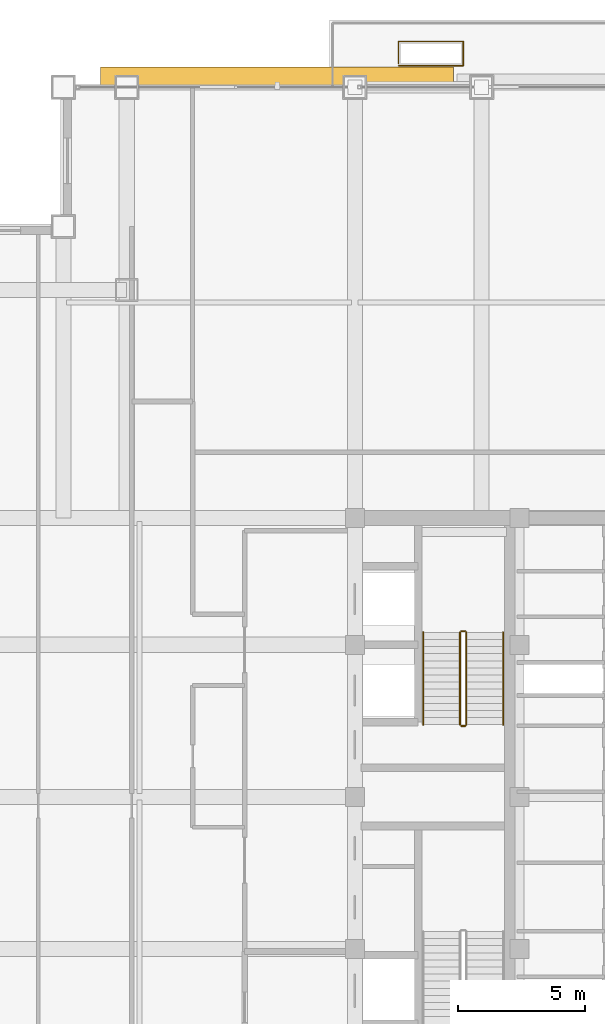
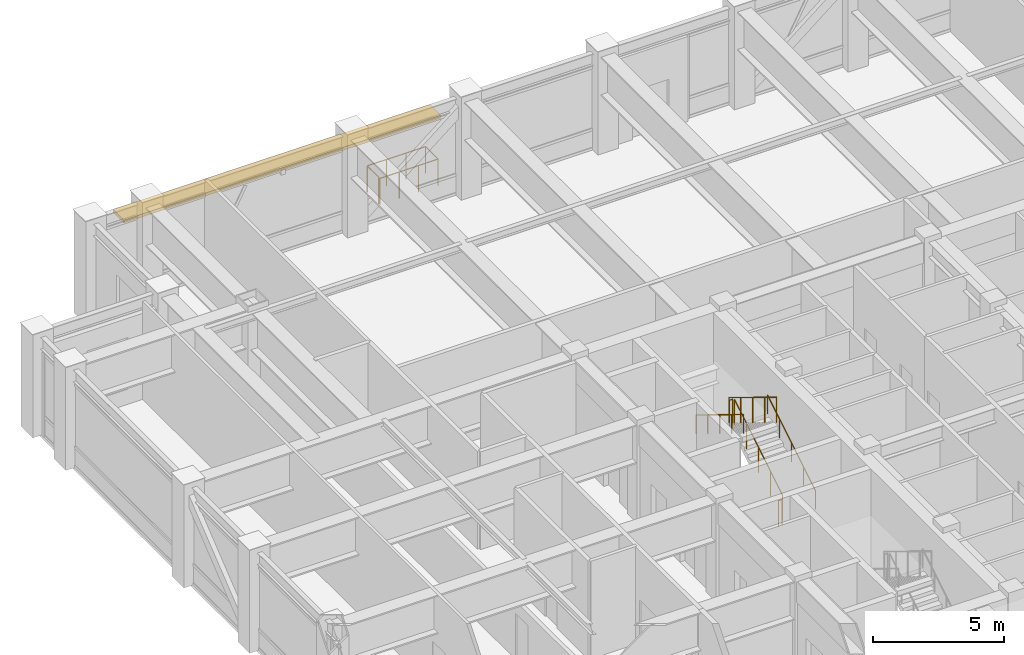
# One storey, part 30 of 31: 7 railings, 1 shading device.
"""IFC4 building model written with IfcOpenShell, lengths in metres."""

from ifc_helpers import new_model, si_unit, direction, frame, origin, origin_2d, place, context, subcontext, project, spatial, rectangle, circle, extrude, source, transform, mapped, material, layer, layer_set, type_object, element, save


model = new_model("IFC4")

# Units and contexts
model_context = context("Model", 3, precision=1e-05, world=origin(), true_north=direction((0.0, 1.0)))
body_context = subcontext(model_context, "Body", "Model", "MODEL_VIEW")
ifc_project = project(units=[si_unit("LENGTHUNIT", "METRE"), si_unit("AREAUNIT", "SQUARE_METRE"), si_unit("VOLUMEUNIT", "CUBIC_METRE"), si_unit("PLANEANGLEUNIT", "RADIAN"), si_unit("MASSUNIT", "GRAM", prefix="KILO")], contexts=[model_context])

# Site, building, storey
site_placement = place(None, origin())
site = spatial("IfcSite", under=ifc_project, at=site_placement, CompositionType="ELEMENT")
building_placement = place(site_placement, origin())
building = spatial("IfcBuilding", under=site, at=building_placement, Name="Khorayat Bourse Tower", CompositionType="ELEMENT")
storey_placement = place(building_placement, frame((0.0, 0.0, 321.5)))
storey = spatial("IfcBuildingStorey", under=building, at=storey_placement, Name="L76", CompositionType="ELEMENT", Elevation=321.5)

# Railing
ifc_material_1 = material(Name="Laminated glass and bronze balustrade", Category="glass")
railing_type_1 = type_object("IfcRailingType", Name="RLG-TERR-1250", PredefinedType="GUARDRAIL", material=ifc_material_1)
shared_shape_1 = source(origin(), body_context, "Body", "SweptSolid", [
    extrude(circle(Radius=0.02392578125, at=origin_2d()), frame((0.0, 0.0, 1.22607421875), z_axis=(1.0, 0.0, 0.0), x_axis=(0.0, 1.0, 0.0)), (0.0, 0.0, 1.0), 2.56005859375),
    extrude(circle(Radius=0.02392578125, at=origin_2d()), frame((2.56005859375, 0.0, 1.22607421875), z_axis=(0.0, 1.0, 0.0), x_axis=(-1.0, 0.0, 0.0)), (0.0, 0.0, 1.0), 0.9599609375),
    extrude(circle(Radius=0.02392578125, at=origin_2d()), frame((2.56005859375, 0.9599609375, 1.22607421875), z_axis=(-1.0, 0.0, 0.0), x_axis=(0.0, -1.0, 0.0)), (0.0, 0.0, 1.0), 2.56005859375),
    extrude(circle(Radius=0.02392578125, at=origin_2d()), frame((0.0, 0.9599609375, 1.22607421875), z_axis=(0.0, -1.0, 0.0), x_axis=(1.0, 0.0, 0.0)), (0.0, 0.0, 1.0), 0.8798828125),
    extrude(circle(Radius=0.02099609375, at=origin_2d()), origin(), (0.0, 0.0, 1.0), 1.201904296875),
    extrude(circle(Radius=0.02099609375, at=origin_2d()), frame((0.853271484375, 0.0, 0.0)), (0.0, 0.0, 1.0), 1.201904296875),
    extrude(circle(Radius=0.02099609375, at=origin_2d()), frame((1.706787109375, 0.0, 0.0)), (0.0, 0.0, 1.0), 1.201904296875),
    extrude(circle(Radius=0.02099609375, at=origin_2d()), frame((2.56005859375, 0.0, 0.0)), (0.0, 0.0, 1.0), 1.201904296875),
    extrude(circle(Radius=0.02099609375, at=origin_2d()), frame((2.56005859375, 0.9599609375, 0.0)), (0.0, 0.0, 1.0), 1.201904296875),
    extrude(circle(Radius=0.02099609375, at=origin_2d()), frame((1.706787109375, 0.9599609375, 0.0)), (0.0, 0.0, 1.0), 1.201904296875),
    extrude(circle(Radius=0.02099609375, at=origin_2d()), frame((0.853271484375, 0.9599609375, 0.0)), (0.0, 0.0, 1.0), 1.201904296875),
    extrude(circle(Radius=0.02099609375, at=origin_2d()), frame((0.0, 0.9599609375, 0.0)), (0.0, 0.0, 1.0), 1.201904296875),
    extrude(circle(Radius=0.02099609375, at=origin_2d()), frame((0.0, 0.080078125, 0.0)), (0.0, 0.0, 1.0), 1.201904296875),
])
railing_1_placement = place(storey_placement, frame((-9.280029296875, 28.844970703125, 0.0)))
element("IfcRailing", 1, at=railing_1_placement, inside=storey, type_object=railing_type_1, Name="L76 Terrace Tree-Pit Guardrail 01", PredefinedType="GUARDRAIL", context=body_context, shape_type="MappedRepresentation", body=[
    mapped(shared_shape_1, transform((0.0, 0.0, 0.0), scale=1.0)),
])

# Shading device
ifc_material_2 = material(Name="Precast concrete C45/55", Category="concrete")
ifc_layer = layer(ifc_material_2, 0.139892578125)
ifc_layer_set = layer_set([ifc_layer], Name="Precast concrete C45/55")
shading_device_type = type_object("IfcShadingDeviceType", Name="SHD-WAVE-TRAY-A", PredefinedType="USERDEFINED", material=ifc_layer_set)
shared_shape_2 = source(origin(), body_context, "Body", "SweptSolid", [
    extrude(rectangle(XDim=13.9267578125, YDim=0.8203125, at=origin_2d()), origin(), (0.0, 0.0, 1.0), 0.139892578125),
])
shading_device_placement = place(storey_placement, frame((-14.066650390625, 28.39013671875, 3.7900390625), z_axis=(0.0, 0.0, 1.0), x_axis=(1.0, 0.0, 0.0)))
element("IfcShadingDevice", 2, at=shading_device_placement, inside=storey, type_object=shading_device_type, Name="L76 Sinusoidal Wave Sunshade Tray N-1", ObjectType="SUNSHADE", PredefinedType="USERDEFINED", context=body_context, shape_type="MappedRepresentation", body=[
    mapped(shared_shape_2, transform((0.0, 0.0, 0.0), scale=1.0)),
])

# Railings
ifc_material_3 = material(Name="Powder-coated steel balustrade", Category="steel")
railing_type_2 = type_object("IfcRailingType", Name="RLG-GUARD-1200", PredefinedType="GUARDRAIL", material=ifc_material_3)
shared_shape_3 = source(origin(), body_context, "Body", "SweptSolid", [
    extrude(circle(Radius=0.02392578125, at=origin_2d()), frame((0.0, 0.0, 1.17578125), z_axis=(0.0, 0.852850264322, 0.5221555579), x_axis=(-1.0, 0.0, 0.0)), (0.0, 0.0, 1.0), 4.267822265625),
    extrude(circle(Radius=0.02099609375, at=origin_2d()), origin(), (0.0, 0.0, 1.0), 1.15185546875),
    extrude(circle(Radius=0.02099609375, at=origin_2d()), frame((0.0, 0.909912109375, 0.55712890625)), (0.0, 0.0, 1.0), 1.15185546875),
    extrude(circle(Radius=0.02099609375, at=origin_2d()), frame((0.0, 1.81982421875, 1.1142578125)), (0.0, 0.0, 1.0), 1.15185546875),
    extrude(circle(Radius=0.02099609375, at=origin_2d()), frame((0.0, 2.72998046875, 1.67138671875)), (0.0, 0.0, 1.0), 1.15185546875),
    extrude(circle(Radius=0.02099609375, at=origin_2d()), frame((0.0, 3.639892578125, 2.228515625)), (0.0, 0.0, 1.0), 1.15185546875),
])
railing_2_placement = place(storey_placement, frame((-6.60009765625, 2.85009765625, 0.17138671875)))
element("IfcRailing", 3, at=railing_2_placement, inside=storey, type_object=railing_type_2, Name="L76 ST-2 stair guard 1", PredefinedType="GUARDRAIL", context=body_context, shape_type="MappedRepresentation", body=[
    mapped(shared_shape_3, transform((0.0, 0.0, 0.0), scale=1.0)),
])
shared_shape_4 = source(origin(), body_context, "Body", "SweptSolid", [
    extrude(circle(Radius=0.02392578125, at=origin_2d()), frame((0.0, 0.0, 1.17578125), z_axis=(-1.0, 0.0, 0.0), x_axis=(0.0, -1.0, 0.0)), (0.0, 0.0, 1.0), 0.150146484375),
    extrude(circle(Radius=0.02099609375, at=origin_2d()), origin(), (0.0, 0.0, 1.0), 1.15185546875),
    extrude(circle(Radius=0.02099609375, at=origin_2d()), frame((-0.150146484375, 0.0, 0.0)), (0.0, 0.0, 1.0), 1.15185546875),
])
for number, where, name in (
    (4, (-6.64990234375, 6.5400390625, 2.39990234375), "L76 ST-2 stair guard 2"),
    (5, (-6.64990234375, 2.800048828125, 0.0), "L76 ST-2 stair guard 4"),
):
    element("IfcRailing", number, at=place(storey_placement, frame(where)), inside=storey, type_object=railing_type_2, Name=name, PredefinedType="GUARDRAIL", context=body_context, shape_type="MappedRepresentation", body=[
        mapped(shared_shape_4, transform((0.0, 0.0, 0.0), scale=1.0)),
    ])
shared_shape_5 = source(origin(), body_context, "Body", "SweptSolid", [
    extrude(circle(Radius=0.02392578125, at=origin_2d()), frame((0.0, 0.0, 1.17578125), z_axis=(0.0, -0.852850264322, 0.5221555579), x_axis=(1.0, 0.0, 0.0)), (0.0, 0.0, 1.0), 4.267822265625),
    extrude(circle(Radius=0.02099609375, at=origin_2d()), origin(), (0.0, 0.0, 1.0), 1.15185546875),
    extrude(circle(Radius=0.02099609375, at=origin_2d()), frame((0.0, -0.909912109375, 0.55712890625)), (0.0, 0.0, 1.0), 1.15185546875),
    extrude(circle(Radius=0.02099609375, at=origin_2d()), frame((0.0, -1.81982421875, 1.1142578125)), (0.0, 0.0, 1.0), 1.15185546875),
    extrude(circle(Radius=0.02099609375, at=origin_2d()), frame((0.0, -2.72998046875, 1.67138671875)), (0.0, 0.0, 1.0), 1.15185546875),
    extrude(circle(Radius=0.02099609375, at=origin_2d()), frame((0.0, -3.639892578125, 2.228515625)), (0.0, 0.0, 1.0), 1.15185546875),
])
railing_3_placement = place(storey_placement, frame((-6.85009765625, 6.489990234375, 2.571533203125)))
element("IfcRailing", 6, at=railing_3_placement, inside=storey, type_object=railing_type_2, Name="L76 ST-2 stair guard 3", PredefinedType="GUARDRAIL", context=body_context, shape_type="MappedRepresentation", body=[
    mapped(shared_shape_5, transform((0.0, 0.0, 0.0), scale=1.0)),
])
ifc_material_4 = material(Name="Brushed bronze stainless-steel handrail", Category="steel")
railing_type_3 = type_object("IfcRailingType", Name="RLG-HAND-900", PredefinedType="HANDRAIL", material=ifc_material_4)
shared_shape_6 = source(origin(), body_context, "Body", "SweptSolid", [
    extrude(circle(Radius=0.02392578125, at=origin_2d()), frame((0.0, 0.0, 0.8759765625), z_axis=(0.0, 0.852850264322, 0.5221555579), x_axis=(-1.0, 0.0, 0.0)), (0.0, 0.0, 1.0), 4.267822265625),
    extrude(circle(Radius=0.02099609375, at=origin_2d()), origin(), (0.0, 0.0, 1.0), 0.851806640625),
    extrude(circle(Radius=0.02099609375, at=origin_2d()), frame((0.0, 0.909912109375, 0.55712890625)), (0.0, 0.0, 1.0), 0.851806640625),
    extrude(circle(Radius=0.02099609375, at=origin_2d()), frame((0.0, 1.81982421875, 1.1142578125)), (0.0, 0.0, 1.0), 0.851806640625),
    extrude(circle(Radius=0.02099609375, at=origin_2d()), frame((0.0, 2.72998046875, 1.67138671875)), (0.0, 0.0, 1.0), 0.851806640625),
    extrude(circle(Radius=0.02099609375, at=origin_2d()), frame((0.0, 3.639892578125, 2.228515625)), (0.0, 0.0, 1.0), 0.851806640625),
])
railing_4_placement = place(storey_placement, frame((-5.14990234375, 2.85009765625, 0.17138671875)))
element("IfcRailing", 7, at=railing_4_placement, inside=storey, type_object=railing_type_3, Name="L76 ST-2 stair handrail 1", PredefinedType="HANDRAIL", context=body_context, shape_type="MappedRepresentation", body=[
    mapped(shared_shape_6, transform((0.0, 0.0, 0.0), scale=1.0)),
])
shared_shape_7 = source(origin(), body_context, "Body", "SweptSolid", [
    extrude(circle(Radius=0.02392578125, at=origin_2d()), frame((0.0, 0.0, 0.8759765625), z_axis=(0.0, -0.852850264322, 0.5221555579), x_axis=(1.0, 0.0, 0.0)), (0.0, 0.0, 1.0), 4.267822265625),
    extrude(circle(Radius=0.02099609375, at=origin_2d()), origin(), (0.0, 0.0, 1.0), 0.851806640625),
    extrude(circle(Radius=0.02099609375, at=origin_2d()), frame((0.0, -0.909912109375, 0.55712890625)), (0.0, 0.0, 1.0), 0.851806640625),
    extrude(circle(Radius=0.02099609375, at=origin_2d()), frame((0.0, -1.81982421875, 1.1142578125)), (0.0, 0.0, 1.0), 0.851806640625),
    extrude(circle(Radius=0.02099609375, at=origin_2d()), frame((0.0, -2.72998046875, 1.67138671875)), (0.0, 0.0, 1.0), 0.851806640625),
    extrude(circle(Radius=0.02099609375, at=origin_2d()), frame((0.0, -3.639892578125, 2.228515625)), (0.0, 0.0, 1.0), 0.851806640625),
])
railing_5_placement = place(storey_placement, frame((-8.300048828125, 6.489990234375, 2.571533203125)))
element("IfcRailing", 8, at=railing_5_placement, inside=storey, type_object=railing_type_3, Name="L76 ST-2 stair handrail 2", PredefinedType="HANDRAIL", context=body_context, shape_type="MappedRepresentation", body=[
    mapped(shared_shape_7, transform((0.0, 0.0, 0.0), scale=1.0)),
])

save(model, "model.ifc")
